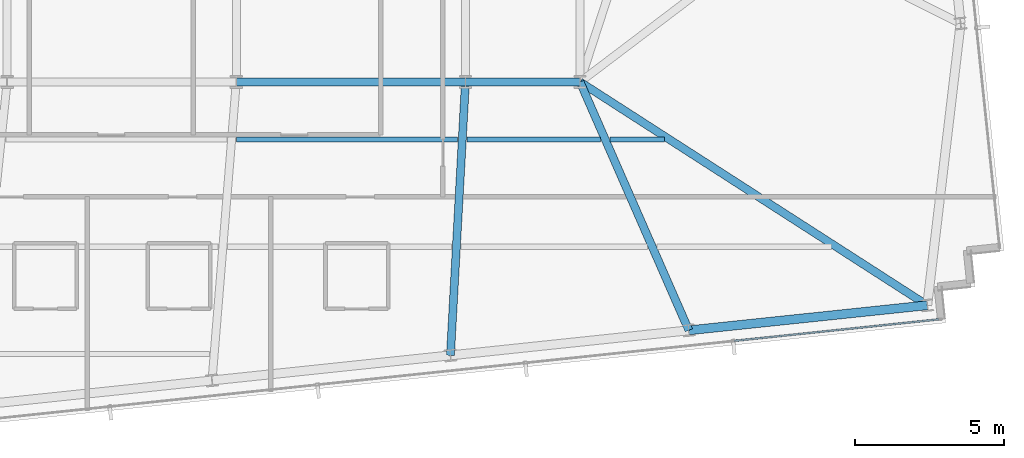
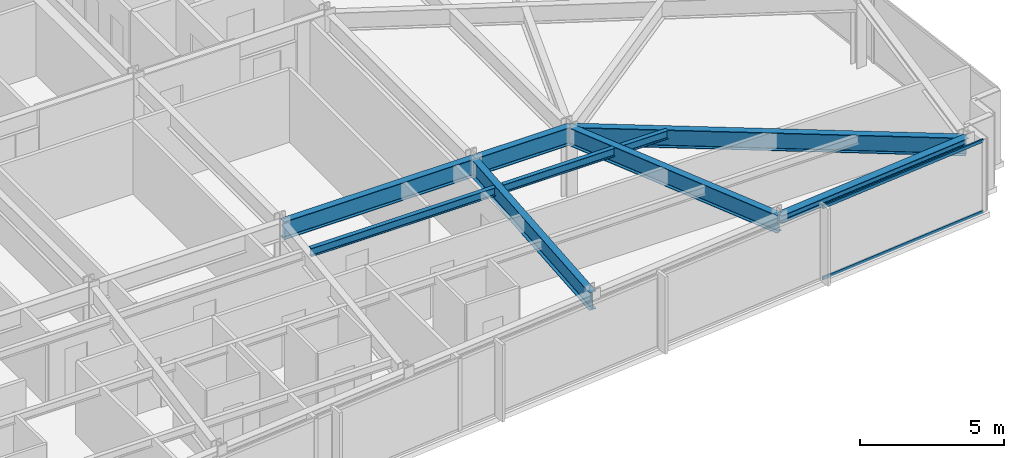
# One storey, part 16 of 33: 9 beams, 2 members, 1 element without a shape of its own.
"""IFC4 building model written with IfcOpenShell, lengths in metres."""

from ifc_helpers import new_model, si_unit, direction, frame, origin, origin_2d, place, context, subcontext, project, spatial, hollow_rectangle, i_section, extrude, material, material_profile, profile_set, type_object, element, aggregate, save


model = new_model("IFC4")

# Units and contexts
model_context = context("Model", 3, precision=1e-05, world=origin(), true_north=direction((0.0, 1.0)))
body_context = subcontext(model_context, "Body", "Model", "MODEL_VIEW")
ifc_project = project(units=[si_unit("LENGTHUNIT", "METRE"), si_unit("AREAUNIT", "SQUARE_METRE"), si_unit("VOLUMEUNIT", "CUBIC_METRE"), si_unit("PLANEANGLEUNIT", "RADIAN"), si_unit("MASSUNIT", "GRAM", prefix="KILO")], contexts=[model_context])

# Site, building, storey
site_placement = place(None, origin())
site = spatial("IfcSite", under=ifc_project, at=site_placement, CompositionType="ELEMENT")
building_placement = place(site_placement, origin())
building = spatial("IfcBuilding", under=site, at=building_placement, Name="Yelkora Congress Tower", CompositionType="ELEMENT")
storey_placement = place(building_placement, frame((0.0, 0.0, 227.60009765625)))
storey = spatial("IfcBuildingStorey", under=building, at=storey_placement, Name="L63", CompositionType="ELEMENT", Elevation=227.60009765625)

# Beams
ifc_material_1 = material(Name="Steel S355J2", Category="steel")
ifc_material_profile_1 = material_profile(ifc_material_1, i_section(OverallWidth=0.26708984375, OverallDepth=0.761962890625, WebThickness=0.014404296875, FlangeThickness=0.021484375, FilletRadius=0.01708984375, at=origin_2d()), Name="IPE 750x173")
ifc_profile_set_1 = profile_set([ifc_material_profile_1], Name="Steel S355J2")
beam_type_1 = type_object("IfcBeamType", Name="BM-GIRD-IPE750", PredefinedType="BEAM", material=ifc_profile_set_1)
beam_1_placement = place(storey_placement, frame((46.080078125, 25.199951171875, 2.698974609375), z_axis=(1.0, 0.0, 0.0), x_axis=(0.0, 1.0, 0.0)))
element("IfcBeam", 1, at=beam_1_placement, inside=storey, type_object=beam_type_1, Name="L63 Spine Grid D Girder 5", PredefinedType="BEAM", context=body_context, shape_type="SweptSolid", body=[
    extrude(i_section(OverallWidth=0.26708984375, OverallDepth=0.761962890625, WebThickness=0.014404296875, FlangeThickness=0.021484375, FilletRadius=0.01708984375, at=origin_2d()), origin(), (0.0, 0.0, 1.0), 7.679931640625),
])
beam_2_placement = place(storey_placement, frame((53.760009765625, 25.199951171875, 2.698974609375), z_axis=(1.0, 0.0, 0.0), x_axis=(0.0, 1.0, 0.0)))
element("IfcBeam", 2, at=beam_2_placement, inside=storey, type_object=beam_type_1, Name="L63 Spine Grid D Girder 6", PredefinedType="BEAM", context=body_context, shape_type="SweptSolid", body=[
    extrude(i_section(OverallWidth=0.26708984375, OverallDepth=0.761962890625, WebThickness=0.014404296875, FlangeThickness=0.021484375, FilletRadius=0.01708984375, at=origin_2d()), origin(), (0.0, 0.0, 1.0), 3.840087890625),
])
beam_3_placement = place(storey_placement, frame((53.25634765625, 16.037353515625, 2.698974609375), z_axis=(0.054886497042, 0.998492600094, 0.0), x_axis=(-0.998492600094, 0.054886497042, 0.0)))
element("IfcBeam", 3, at=beam_3_placement, inside=storey, type_object=beam_type_1, Name="L63 Primary Frame Girder S05", PredefinedType="BEAM", context=body_context, shape_type="SweptSolid", body=[
    extrude(i_section(OverallWidth=0.26708984375, OverallDepth=0.761962890625, WebThickness=0.014404296875, FlangeThickness=0.021484375, FilletRadius=0.01708984375, at=origin_2d()), origin(), (0.0, 0.0, 1.0), 9.176513671875),
])
beam_4_placement = place(storey_placement, frame((61.24560546875, 16.877197265625, 2.698974609375), z_axis=(-0.401216289608, 0.915983345347, 0.0), x_axis=(-0.915983345347, -0.401216289608, 0.0)))
element("IfcBeam", 4, at=beam_4_placement, inside=storey, type_object=beam_type_1, Name="L63 Primary Frame Girder S06", PredefinedType="BEAM", context=body_context, shape_type="SweptSolid", body=[
    extrude(i_section(OverallWidth=0.26708984375, OverallDepth=0.761962890625, WebThickness=0.014404296875, FlangeThickness=0.021484375, FilletRadius=0.01708984375, at=origin_2d()), origin(), (0.0, 0.0, 1.0), 9.086181640625),
])
beam_5_placement = place(storey_placement, frame((69.235107421875, 17.716796875, 2.698974609375), z_axis=(-0.841063201017, 0.54093686498, 0.0), x_axis=(-0.54093686498, -0.841063201017, 0.0)))
element("IfcBeam", 5, at=beam_5_placement, inside=storey, type_object=beam_type_1, Name="L63 Primary Frame Girder S07", PredefinedType="BEAM", context=body_context, shape_type="SweptSolid", body=[
    extrude(i_section(OverallWidth=0.26708984375, OverallDepth=0.761962890625, WebThickness=0.014404296875, FlangeThickness=0.021484375, FilletRadius=0.01708984375, at=origin_2d()), origin(), (0.0, 0.0, 1.0), 13.833740234375),
])
ifc_material_profile_2 = material_profile(ifc_material_1, i_section(OverallWidth=0.169921875, OverallDepth=0.360107421875, WebThickness=0.008056640625, FlangeThickness=0.0126953125, FilletRadius=0.01806640625, at=origin_2d()), Name="IPE 360")
ifc_profile_set_2 = profile_set([ifc_material_profile_2], Name="Steel S355J2")
beam_type_2 = type_object("IfcBeamType", Name="BM-JOIST-IPE360", PredefinedType="JOIST", material=ifc_profile_set_2)
beam_6_placement = place(storey_placement, frame((46.083740234375, 23.278564453125, 2.89990234375), z_axis=(1.0, 0.0, 0.0), x_axis=(0.0, 1.0, 0.0)))
element("IfcBeam", 6, at=beam_6_placement, inside=storey, type_object=beam_type_2, Name="L63 Composite Floor Joist 12", PredefinedType="JOIST", context=body_context, shape_type="SweptSolid", body=[
    extrude(i_section(OverallWidth=0.169921875, OverallDepth=0.360107421875, WebThickness=0.008056640625, FlangeThickness=0.0126953125, FilletRadius=0.01806640625, at=origin_2d()), origin(), (0.0, 0.0, 1.0), 7.41064453125),
])
beam_7_placement = place(storey_placement, frame((53.814453125, 23.278564453125, 2.89990234375), z_axis=(1.0, 0.0, 0.0), x_axis=(0.0, 1.0, 0.0)))
element("IfcBeam", 7, at=beam_7_placement, inside=storey, type_object=beam_type_2, Name="L63 Composite Floor Joist 13", PredefinedType="JOIST", context=body_context, shape_type="SweptSolid", body=[
    extrude(i_section(OverallWidth=0.169921875, OverallDepth=0.360107421875, WebThickness=0.008056640625, FlangeThickness=0.0126953125, FilletRadius=0.01806640625, at=origin_2d()), origin(), (0.0, 0.0, 1.0), 4.46728515625),
])
beam_8_placement = place(storey_placement, frame((58.601806640625, 23.278564453125, 2.89990234375), z_axis=(1.0, 0.0, 0.0), x_axis=(0.0, 1.0, 0.0)))
element("IfcBeam", 8, at=beam_8_placement, inside=storey, type_object=beam_type_2, Name="L63 Composite Floor Joist 14", PredefinedType="JOIST", context=body_context, shape_type="SweptSolid", body=[
    extrude(i_section(OverallWidth=0.169921875, OverallDepth=0.360107421875, WebThickness=0.008056640625, FlangeThickness=0.0126953125, FilletRadius=0.01806640625, at=origin_2d()), origin(), (0.0, 0.0, 1.0), 1.82568359375),
])
ifc_material_profile_3 = material_profile(ifc_material_1, i_section(OverallWidth=0.300048828125, OverallDepth=0.340087890625, WebThickness=0.011962890625, FlangeThickness=0.021484375, FilletRadius=0.027099609375, at=origin_2d()), Name="HEB 340")
ifc_profile_set_3 = profile_set([ifc_material_profile_3], Name="Steel S355J2")
beam_type_3 = type_object("IfcBeamType", Name="BM-SPAN-HEB340", PredefinedType="SPANDREL", material=ifc_profile_set_3)
beam_9_placement = place(storey_placement, frame((61.24560546875, 16.877197265625, 2.909912109375), z_axis=(0.99452358891, 0.104512349038, 0.0), x_axis=(-0.104512349038, 0.99452358891, 0.0)))
element("IfcBeam", 9, at=beam_9_placement, inside=storey, type_object=beam_type_3, Name="L63 Perimeter Beam 8", PredefinedType="SPANDREL", context=body_context, shape_type="SweptSolid", body=[
    extrude(i_section(OverallWidth=0.300048828125, OverallDepth=0.340087890625, WebThickness=0.011962890625, FlangeThickness=0.021484375, FilletRadius=0.027099609375, at=origin_2d()), origin(), (0.0, 0.0, 1.0), 8.033447265625),
])

# Curtain wall, members
ifc_material_2 = material(Name="Anodised aluminium and insulated glass", Category="aluminium")
curtain_wall_type = type_object("IfcCurtainWallType", Name="CW-SYS-B4", PredefinedType="NOTDEFINED", material=ifc_material_2)
curtain_wall_placement = place(storey_placement, origin())
curtain_wall = element("IfcCurtainWall", 10, at=curtain_wall_placement, inside=storey, type_object=curtain_wall_type, Name="L63 Unitised Curtain Wall 20", PredefinedType="NOTDEFINED")
ifc_material_3 = material(Name="Anodised aluminium 6063-T6", Category="aluminium")
ifc_material_profile_4 = material_profile(ifc_material_3, hollow_rectangle(XDim=0.06005859375, YDim=0.1298828125, WallThickness=0.00390625, at=origin_2d()), Name="ALU 60x130x4")
ifc_profile_set_4 = profile_set([ifc_material_profile_4], Name="Anodised aluminium 6063-T6")
member_type = type_object("IfcMemberType", Name="MEM-TR-B4", PredefinedType="USERDEFINED", material=ifc_profile_set_4)
member_1_placement = place(storey_placement, frame((69.63134765625, 17.24560546875, 0.02978515625), z_axis=(-0.994523648539, -0.104511781616, 0.0), x_axis=(0.104511781616, -0.994523648539, 0.0)))
member_1 = element("IfcMember", 11, at=member_1_placement, type_object=member_type, Name="CW-B4 transom 1.1", ObjectType="TRANSOM", PredefinedType="USERDEFINED", context=body_context, shape_type="SweptSolid", body=[
    extrude(hollow_rectangle(XDim=0.06005859375, YDim=0.1298828125, WallThickness=0.00390625, at=origin_2d()), origin(), (0.0, 0.0, 1.0), 6.9052734375),
])
member_2_placement = place(storey_placement, frame((69.63134765625, 17.24560546875, 3.0498046875), z_axis=(-0.994523648539, -0.104511781616, 0.0), x_axis=(0.104511781616, -0.994523648539, 0.0)))
member_2 = element("IfcMember", 12, at=member_2_placement, type_object=member_type, Name="CW-B4 transom 1.2", ObjectType="TRANSOM", PredefinedType="USERDEFINED", context=body_context, shape_type="SweptSolid", body=[
    extrude(hollow_rectangle(XDim=0.06005859375, YDim=0.1298828125, WallThickness=0.00390625, at=origin_2d()), origin(), (0.0, 0.0, 1.0), 6.9052734375),
])
aggregate(curtain_wall, [member_1, member_2])

save(model, "model.ifc")
